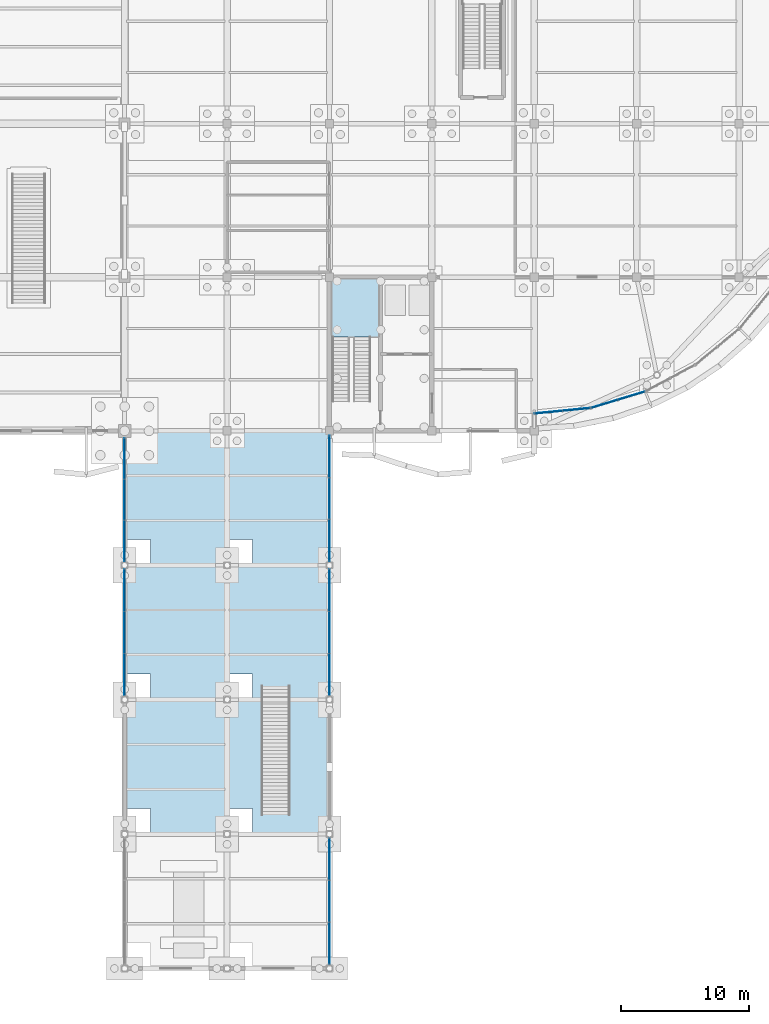
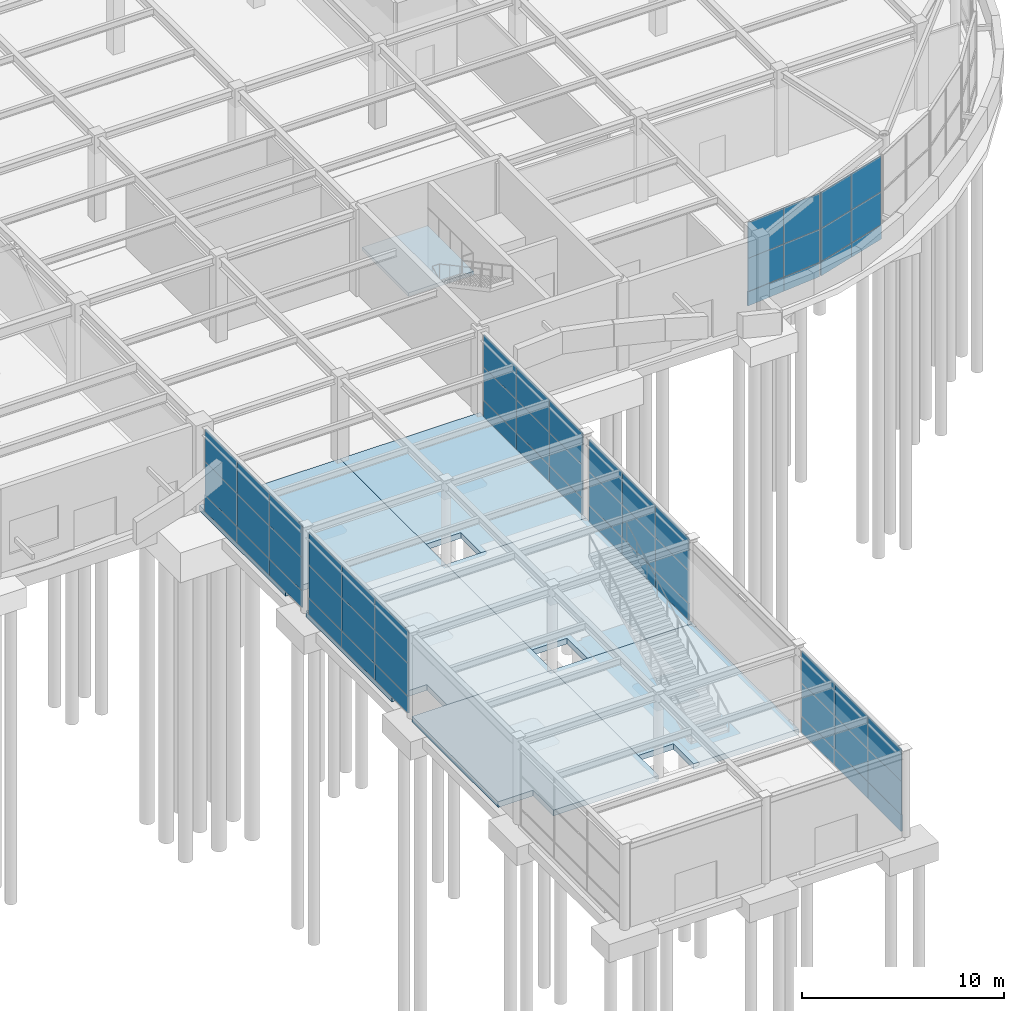
# One storey, part 55 of 85: 57 plates, 7 slabs, 8 elements without a shape of their own.
"""IFC4 building model written with IfcOpenShell, lengths in metres."""

from ifc_helpers import new_model, si_unit, direction, frame, origin, origin_2d, place, context, subcontext, project, spatial, polyline, rectangle, outline, extrude, material, layer, layer_set, type_object, element, aggregate, save


model = new_model("IFC4")

# Units and contexts
model_context = context("Model", 3, precision=1e-05, world=origin(), true_north=direction((0.0, 1.0)))
body_context = subcontext(model_context, "Body", "Model", "MODEL_VIEW")
ifc_project = project(units=[si_unit("LENGTHUNIT", "METRE"), si_unit("AREAUNIT", "SQUARE_METRE"), si_unit("VOLUMEUNIT", "CUBIC_METRE"), si_unit("PLANEANGLEUNIT", "RADIAN"), si_unit("MASSUNIT", "GRAM", prefix="KILO")], contexts=[model_context])

# Site, building, storey
site_placement = place(None, origin())
site = spatial("IfcSite", under=ifc_project, at=site_placement, CompositionType="ELEMENT")
building_placement = place(site_placement, origin())
building = spatial("IfcBuilding", under=site, at=building_placement, Name="Keelwater Ferry Terminal", CompositionType="ELEMENT")
storey_placement = place(building_placement, origin())
storey = spatial("IfcBuildingStorey", under=building, at=storey_placement, Name="L00", CompositionType="ELEMENT", Elevation=0.0)

# Curtain wall, plates
ifc_material_1 = material(Name="Thermally broken unitised aluminium and triple glass", Category="aluminium")
ifc_layer_1 = layer(ifc_material_1, 0.179931640625)
ifc_layer_set_1 = layer_set([ifc_layer_1], Name="Thermally broken unitised aluminium and triple glass")
curtain_wall_type_1 = type_object("IfcCurtainWallType", Name="CW-08 Unitised Curtain Wall 9842x4950", PredefinedType="USERDEFINED", material=ifc_layer_set_1)
curtain_wall_1_placement = place(storey_placement, origin())
curtain_wall_1 = element("IfcCurtainWall", 1, at=curtain_wall_1_placement, inside=storey, type_object=curtain_wall_type_1, Name="Unitised Curtain Wall CW-L00-061", ObjectType="UNITISED CURTAIN WALL", PredefinedType="USERDEFINED")
ifc_material_2 = material(Name="Insulated aluminium spandrel", Category="aluminium")
ifc_layer_2 = layer(ifc_material_2, 0.080078125)
ifc_layer_set_2 = layer_set([ifc_layer_2], Name="Insulated aluminium spandrel")
plate_type_1 = type_object("IfcPlateType", Name="CWP-S1 Insulated Spandrel Panel 80", PredefinedType="CURTAIN_PANEL", material=ifc_layer_set_2)
plate_1_placement = place(storey_placement, frame((132.0, 22.96923828125, 0.0), z_axis=(0.0, 0.0, 1.0), x_axis=(0.0, 1.0, 0.0)))
plate_1 = element("IfcPlate", 2, at=plate_1_placement, type_object=plate_type_1, Name="CW-L00-061 Panel 1.1", PredefinedType="CURTAIN_PANEL", context=body_context, shape_type="SweptSolid", body=[
    extrude(rectangle(XDim=3.28076171875, YDim=0.080078125, at=origin_2d()), origin(), (0.0, 0.0, 1.0), 1.0),
])
plate_2_placement = place(storey_placement, frame((132.0, 26.25, 0.0), z_axis=(0.0, 0.0, 1.0), x_axis=(0.0, 1.0, 0.0)))
plate_2 = element("IfcPlate", 3, at=plate_2_placement, type_object=plate_type_1, Name="CW-L00-061 Panel 2.1", PredefinedType="CURTAIN_PANEL", context=body_context, shape_type="SweptSolid", body=[
    extrude(rectangle(XDim=3.28076171875, YDim=0.080078125, at=origin_2d()), origin(), (0.0, 0.0, 1.0), 1.0),
])
plate_3_placement = place(storey_placement, frame((132.0, 29.53076171875, 0.0), z_axis=(0.0, 0.0, 1.0), x_axis=(0.0, 1.0, 0.0)))
plate_3 = element("IfcPlate", 4, at=plate_3_placement, type_object=plate_type_1, Name="CW-L00-061 Panel 3.1", PredefinedType="CURTAIN_PANEL", context=body_context, shape_type="SweptSolid", body=[
    extrude(rectangle(XDim=3.28076171875, YDim=0.080078125, at=origin_2d()), origin(), (0.0, 0.0, 1.0), 1.0),
])

ifc_material_3 = material(Name="Thermally broken unitised aluminium and triple glass", Category="aluminium")
ifc_layer_3 = layer(ifc_material_3, 0.179931640625)
ifc_layer_set_3 = layer_set([ifc_layer_3], Name="Thermally broken unitised aluminium and triple glass")
curtain_wall_type_2 = type_object("IfcCurtainWallType", Name="CW-12 Unitised Curtain Wall 9596x4950", PredefinedType="USERDEFINED", material=ifc_layer_set_3)
curtain_wall_2_placement = place(storey_placement, origin())
curtain_wall_2 = element("IfcCurtainWall", 5, at=curtain_wall_2_placement, inside=storey, type_object=curtain_wall_type_2, Name="Unitised Curtain Wall CW-L00-063", ObjectType="UNITISED CURTAIN WALL", PredefinedType="USERDEFINED")
plate_4_placement = place(storey_placement, frame((132.0, 33.42822265625, 0.0), z_axis=(0.0, 0.0, 1.0), x_axis=(0.0, 1.0, 0.0)))
plate_4 = element("IfcPlate", 6, at=plate_4_placement, type_object=plate_type_1, Name="CW-L00-063 Panel 1.1", PredefinedType="CURTAIN_PANEL", context=body_context, shape_type="SweptSolid", body=[
    extrude(rectangle(XDim=3.19873046875, YDim=0.080078125, at=origin_2d()), origin(), (0.0, 0.0, 1.0), 1.0),
])
plate_5_placement = place(storey_placement, frame((132.0, 36.626953125, 0.0), z_axis=(0.0, 0.0, 1.0), x_axis=(0.0, 1.0, 0.0)))
plate_5 = element("IfcPlate", 7, at=plate_5_placement, type_object=plate_type_1, Name="CW-L00-063 Panel 2.1", PredefinedType="CURTAIN_PANEL", context=body_context, shape_type="SweptSolid", body=[
    extrude(rectangle(XDim=3.19873046875, YDim=0.080078125, at=origin_2d()), origin(), (0.0, 0.0, 1.0), 1.0),
])
plate_6_placement = place(storey_placement, frame((132.0, 39.82568359375, 0.0), z_axis=(0.0, 0.0, 1.0), x_axis=(0.0, 1.0, 0.0)))
plate_6 = element("IfcPlate", 8, at=plate_6_placement, type_object=plate_type_1, Name="CW-L00-063 Panel 3.1", PredefinedType="CURTAIN_PANEL", context=body_context, shape_type="SweptSolid", body=[
    extrude(rectangle(XDim=3.19873046875, YDim=0.080078125, at=origin_2d()), origin(), (0.0, 0.0, 1.0), 1.0),
])

curtain_wall_3_placement = place(storey_placement, origin())
curtain_wall_3 = element("IfcCurtainWall", 9, at=curtain_wall_3_placement, inside=storey, type_object=curtain_wall_type_1, Name="Unitised Curtain Wall CW-L00-065", ObjectType="UNITISED CURTAIN WALL", PredefinedType="USERDEFINED")
plate_7_placement = place(storey_placement, frame((148.0, 1.96923828125, 0.0), z_axis=(0.0, 0.0, 1.0), x_axis=(0.0, 1.0, 0.0)))
plate_7 = element("IfcPlate", 10, at=plate_7_placement, type_object=plate_type_1, Name="CW-L00-065 Panel 1.1", PredefinedType="CURTAIN_PANEL", context=body_context, shape_type="SweptSolid", body=[
    extrude(rectangle(XDim=3.28076171875, YDim=0.080078125, at=origin_2d()), origin(), (0.0, 0.0, 1.0), 1.0),
])
plate_8_placement = place(storey_placement, frame((148.0, 5.25, 0.0), z_axis=(0.0, 0.0, 1.0), x_axis=(0.0, 1.0, 0.0)))
plate_8 = element("IfcPlate", 11, at=plate_8_placement, type_object=plate_type_1, Name="CW-L00-065 Panel 2.1", PredefinedType="CURTAIN_PANEL", context=body_context, shape_type="SweptSolid", body=[
    extrude(rectangle(XDim=3.28076171875, YDim=0.080078125, at=origin_2d()), origin(), (0.0, 0.0, 1.0), 1.0),
])
plate_9_placement = place(storey_placement, frame((148.0, 8.53076171875, 0.0), z_axis=(0.0, 0.0, 1.0), x_axis=(0.0, 1.0, 0.0)))
plate_9 = element("IfcPlate", 12, at=plate_9_placement, type_object=plate_type_1, Name="CW-L00-065 Panel 3.1", PredefinedType="CURTAIN_PANEL", context=body_context, shape_type="SweptSolid", body=[
    extrude(rectangle(XDim=3.28076171875, YDim=0.080078125, at=origin_2d()), origin(), (0.0, 0.0, 1.0), 1.0),
])

curtain_wall_4_placement = place(storey_placement, origin())
curtain_wall_4 = element("IfcCurtainWall", 13, at=curtain_wall_4_placement, inside=storey, type_object=curtain_wall_type_1, Name="Unitised Curtain Wall CW-L00-067", ObjectType="UNITISED CURTAIN WALL", PredefinedType="USERDEFINED")
plate_10_placement = place(storey_placement, frame((148.0, 22.96923828125, 0.0), z_axis=(0.0, 0.0, 1.0), x_axis=(0.0, 1.0, 0.0)))
plate_10 = element("IfcPlate", 14, at=plate_10_placement, type_object=plate_type_1, Name="CW-L00-067 Panel 1.1", PredefinedType="CURTAIN_PANEL", context=body_context, shape_type="SweptSolid", body=[
    extrude(rectangle(XDim=3.28076171875, YDim=0.080078125, at=origin_2d()), origin(), (0.0, 0.0, 1.0), 1.0),
])
plate_11_placement = place(storey_placement, frame((148.0, 26.25, 0.0), z_axis=(0.0, 0.0, 1.0), x_axis=(0.0, 1.0, 0.0)))
plate_11 = element("IfcPlate", 15, at=plate_11_placement, type_object=plate_type_1, Name="CW-L00-067 Panel 2.1", PredefinedType="CURTAIN_PANEL", context=body_context, shape_type="SweptSolid", body=[
    extrude(rectangle(XDim=3.28076171875, YDim=0.080078125, at=origin_2d()), origin(), (0.0, 0.0, 1.0), 1.0),
])
plate_12_placement = place(storey_placement, frame((148.0, 29.53076171875, 0.0), z_axis=(0.0, 0.0, 1.0), x_axis=(0.0, 1.0, 0.0)))
plate_12 = element("IfcPlate", 16, at=plate_12_placement, type_object=plate_type_1, Name="CW-L00-067 Panel 3.1", PredefinedType="CURTAIN_PANEL", context=body_context, shape_type="SweptSolid", body=[
    extrude(rectangle(XDim=3.28076171875, YDim=0.080078125, at=origin_2d()), origin(), (0.0, 0.0, 1.0), 1.0),
])

ifc_material_4 = material(Name="Thermally broken unitised aluminium and triple glass", Category="aluminium")
ifc_layer_4 = layer(ifc_material_4, 0.179931640625)
ifc_layer_set_4 = layer_set([ifc_layer_4], Name="Thermally broken unitised aluminium and triple glass")
curtain_wall_type_3 = type_object("IfcCurtainWallType", Name="CW-10 Unitised Curtain Wall 9771x4950", PredefinedType="USERDEFINED", material=ifc_layer_set_4)
curtain_wall_5_placement = place(storey_placement, origin())
curtain_wall_5 = element("IfcCurtainWall", 17, at=curtain_wall_5_placement, inside=storey, type_object=curtain_wall_type_3, Name="Unitised Curtain Wall CW-L00-069", ObjectType="UNITISED CURTAIN WALL", PredefinedType="USERDEFINED")
plate_13_placement = place(storey_placement, frame((148.0, 33.45751953125, 0.0), z_axis=(0.0, 0.0, 1.0), x_axis=(0.0, 1.0, 0.0)))
plate_13 = element("IfcPlate", 18, at=plate_13_placement, type_object=plate_type_1, Name="CW-L00-069 Panel 1.1", PredefinedType="CURTAIN_PANEL", context=body_context, shape_type="SweptSolid", body=[
    extrude(rectangle(XDim=3.257080078125, YDim=0.080078125, at=origin_2d()), origin(), (0.0, 0.0, 1.0), 1.0),
])
plate_14_placement = place(storey_placement, frame((148.0, 36.714599609375, 0.0), z_axis=(0.0, 0.0, 1.0), x_axis=(0.0, 1.0, 0.0)))
plate_14 = element("IfcPlate", 19, at=plate_14_placement, type_object=plate_type_1, Name="CW-L00-069 Panel 2.1", PredefinedType="CURTAIN_PANEL", context=body_context, shape_type="SweptSolid", body=[
    extrude(rectangle(XDim=3.257080078125, YDim=0.080078125, at=origin_2d()), origin(), (0.0, 0.0, 1.0), 1.0),
])
plate_15_placement = place(storey_placement, frame((148.0, 39.971435546875, 0.0), z_axis=(0.0, 0.0, 1.0), x_axis=(0.0, 1.0, 0.0)))
plate_15 = element("IfcPlate", 20, at=plate_15_placement, type_object=plate_type_1, Name="CW-L00-069 Panel 3.1", PredefinedType="CURTAIN_PANEL", context=body_context, shape_type="SweptSolid", body=[
    extrude(rectangle(XDim=3.257080078125, YDim=0.080078125, at=origin_2d()), origin(), (0.0, 0.0, 1.0), 1.0),
])

ifc_material_5 = material(Name="Thermally broken unitised aluminium and triple glass", Category="aluminium")
ifc_layer_5 = layer(ifc_material_5, 0.179931640625)
ifc_layer_set_5 = layer_set([ifc_layer_5], Name="Thermally broken unitised aluminium and triple glass")
curtain_wall_type_4 = type_object("IfcCurtainWallType", Name="CW-17 Unitised Curtain Wall 4350x5020", PredefinedType="USERDEFINED", material=ifc_layer_set_5)
curtain_wall_6_placement = place(storey_placement, origin())
curtain_wall_6 = element("IfcCurtainWall", 21, at=curtain_wall_6_placement, inside=storey, type_object=curtain_wall_type_4, Name="Unitised Curtain Wall CW-L00-093", ObjectType="UNITISED CURTAIN WALL", PredefinedType="USERDEFINED")
ifc_material_6 = material(Name="Insulated white cassette spandrel", Category="aluminium")
ifc_layer_6 = layer(ifc_material_6, 0.094970703125)
ifc_layer_set_6 = layer_set([ifc_layer_6], Name="Insulated white cassette spandrel")
plate_type_2 = type_object("IfcPlateType", Name="CWP-S2 Insulated Spandrel Panel 95", PredefinedType="CURTAIN_PANEL", material=ifc_layer_set_6)
plate_16_placement = place(storey_placement, frame((165.127197265625, 43.460693359375, 0.0), z_axis=(0.0, 0.0, 1.0), x_axis=(0.995170573079, 0.098160737969, 0.0)))
plate_16 = element("IfcPlate", 22, at=plate_16_placement, type_object=plate_type_2, Name="CW-L00-093 Panel 1.1", PredefinedType="CURTAIN_PANEL", context=body_context, shape_type="SweptSolid", body=[
    extrude(rectangle(XDim=2.175048828125, YDim=0.094970703125, at=origin_2d()), origin(), (0.0, 0.0, 1.0), 0.85009765625),
])
plate_17_placement = place(storey_placement, frame((167.291748046875, 43.67431640625, 0.0), z_axis=(0.0, 0.0, 1.0), x_axis=(0.995170573079, 0.098160737969, 0.0)))
plate_17 = element("IfcPlate", 23, at=plate_17_placement, type_object=plate_type_2, Name="CW-L00-093 Panel 2.1", PredefinedType="CURTAIN_PANEL", context=body_context, shape_type="SweptSolid", body=[
    extrude(rectangle(XDim=2.175048828125, YDim=0.094970703125, at=origin_2d()), origin(), (0.0, 0.0, 1.0), 0.85009765625),
])

curtain_wall_7_placement = place(storey_placement, origin())
curtain_wall_7 = element("IfcCurtainWall", 24, at=curtain_wall_7_placement, inside=storey, type_object=curtain_wall_type_4, Name="Unitised Curtain Wall CW-L00-094", ObjectType="UNITISED CURTAIN WALL", PredefinedType="USERDEFINED")
plate_18_placement = place(storey_placement, frame((169.502685546875, 44.11376953125, 0.0), z_axis=(0.0, 0.0, 1.0), x_axis=(0.956929623319, 0.290319989003, 0.0)))
plate_18 = element("IfcPlate", 25, at=plate_18_placement, type_object=plate_type_2, Name="CW-L00-094 Panel 1.1", PredefinedType="CURTAIN_PANEL", context=body_context, shape_type="SweptSolid", body=[
    extrude(rectangle(XDim=2.17529296875, YDim=0.094970703125, at=origin_2d()), origin(), (0.0, 0.0, 1.0), 0.85009765625),
])
plate_19_placement = place(storey_placement, frame((171.584228515625, 44.745361328125, 0.0), z_axis=(0.0, 0.0, 1.0), x_axis=(0.956929623319, 0.290319989003, 0.0)))
plate_19 = element("IfcPlate", 26, at=plate_19_placement, type_object=plate_type_2, Name="CW-L00-094 Panel 2.1", PredefinedType="CURTAIN_PANEL", context=body_context, shape_type="SweptSolid", body=[
    extrude(rectangle(XDim=2.17529296875, YDim=0.094970703125, at=origin_2d()), origin(), (0.0, 0.0, 1.0), 0.85009765625),
])

# Plate
ifc_material_7 = material(Name="Triple solar-control glass", Category="glass")
ifc_layer_7 = layer(ifc_material_7, 0.0419921875)
ifc_layer_set_7 = layer_set([ifc_layer_7], Name="Triple solar-control glass")
plate_type_3 = type_object("IfcPlateType", Name="CWP-V2 Glazed Vision Panel 42", PredefinedType="CURTAIN_PANEL", material=ifc_layer_set_7)
plate_20_placement = place(storey_placement, frame((165.127197265625, 43.460693359375, 0.85009765625), z_axis=(0.0, 0.0, 1.0), x_axis=(0.995170573079, 0.098160737969, 0.0)))
plate_20 = element("IfcPlate", 27, at=plate_20_placement, type_object=plate_type_3, Name="CW-L00-093 Panel 1.2", PredefinedType="CURTAIN_PANEL", context=body_context, shape_type="SweptSolid", body=[
    extrude(rectangle(XDim=2.175048828125, YDim=0.0419921875, at=origin_2d()), origin(), (0.0, 0.0, 1.0), 2.0),
])

plate_21_placement = place(storey_placement, frame((165.127197265625, 43.460693359375, 2.85009765625), z_axis=(0.0, 0.0, 1.0), x_axis=(0.995170573079, 0.098160737969, 0.0)))
plate_21 = element("IfcPlate", 28, at=plate_21_placement, type_object=plate_type_3, Name="CW-L00-093 Panel 1.3", PredefinedType="CURTAIN_PANEL", context=body_context, shape_type="SweptSolid", body=[
    extrude(rectangle(XDim=2.175048828125, YDim=0.0419921875, at=origin_2d()), origin(), (0.0, 0.0, 1.0), 2.169921875),
])

plate_22_placement = place(storey_placement, frame((167.291748046875, 43.67431640625, 0.85009765625), z_axis=(0.0, 0.0, 1.0), x_axis=(0.995170573079, 0.098160737969, 0.0)))
plate_22 = element("IfcPlate", 29, at=plate_22_placement, type_object=plate_type_3, Name="CW-L00-093 Panel 2.2", PredefinedType="CURTAIN_PANEL", context=body_context, shape_type="SweptSolid", body=[
    extrude(rectangle(XDim=2.175048828125, YDim=0.0419921875, at=origin_2d()), origin(), (0.0, 0.0, 1.0), 2.0),
])

plate_23_placement = place(storey_placement, frame((167.291748046875, 43.67431640625, 2.85009765625), z_axis=(0.0, 0.0, 1.0), x_axis=(0.995170573079, 0.098160737969, 0.0)))
plate_23 = element("IfcPlate", 30, at=plate_23_placement, type_object=plate_type_3, Name="CW-L00-093 Panel 2.3", PredefinedType="CURTAIN_PANEL", context=body_context, shape_type="SweptSolid", body=[
    extrude(rectangle(XDim=2.175048828125, YDim=0.0419921875, at=origin_2d()), origin(), (0.0, 0.0, 1.0), 2.169921875),
])

aggregate(curtain_wall_6, [plate_16, plate_20, plate_21, plate_17, plate_22, plate_23])

plate_24_placement = place(storey_placement, frame((169.502685546875, 44.11376953125, 0.85009765625), z_axis=(0.0, 0.0, 1.0), x_axis=(0.956929623319, 0.290319989003, 0.0)))
plate_24 = element("IfcPlate", 31, at=plate_24_placement, type_object=plate_type_3, Name="CW-L00-094 Panel 1.2", PredefinedType="CURTAIN_PANEL", context=body_context, shape_type="SweptSolid", body=[
    extrude(rectangle(XDim=2.17529296875, YDim=0.0419921875, at=origin_2d()), origin(), (0.0, 0.0, 1.0), 2.0),
])

plate_25_placement = place(storey_placement, frame((169.502685546875, 44.11376953125, 2.85009765625), z_axis=(0.0, 0.0, 1.0), x_axis=(0.956929623319, 0.290319989003, 0.0)))
plate_25 = element("IfcPlate", 32, at=plate_25_placement, type_object=plate_type_3, Name="CW-L00-094 Panel 1.3", PredefinedType="CURTAIN_PANEL", context=body_context, shape_type="SweptSolid", body=[
    extrude(rectangle(XDim=2.17529296875, YDim=0.0419921875, at=origin_2d()), origin(), (0.0, 0.0, 1.0), 2.169921875),
])

plate_26_placement = place(storey_placement, frame((171.584228515625, 44.745361328125, 0.85009765625), z_axis=(0.0, 0.0, 1.0), x_axis=(0.956929623319, 0.290319989003, 0.0)))
plate_26 = element("IfcPlate", 33, at=plate_26_placement, type_object=plate_type_3, Name="CW-L00-094 Panel 2.2", PredefinedType="CURTAIN_PANEL", context=body_context, shape_type="SweptSolid", body=[
    extrude(rectangle(XDim=2.17529296875, YDim=0.0419921875, at=origin_2d()), origin(), (0.0, 0.0, 1.0), 2.0),
])

plate_27_placement = place(storey_placement, frame((171.584228515625, 44.745361328125, 2.85009765625), z_axis=(0.0, 0.0, 1.0), x_axis=(0.956929623319, 0.290319989003, 0.0)))
plate_27 = element("IfcPlate", 34, at=plate_27_placement, type_object=plate_type_3, Name="CW-L00-094 Panel 2.3", PredefinedType="CURTAIN_PANEL", context=body_context, shape_type="SweptSolid", body=[
    extrude(rectangle(XDim=2.17529296875, YDim=0.0419921875, at=origin_2d()), origin(), (0.0, 0.0, 1.0), 2.169921875),
])

aggregate(curtain_wall_7, [plate_18, plate_24, plate_25, plate_19, plate_26, plate_27])

ifc_material_8 = material(Name="Acoustic marine triple glass", Category="glass")
ifc_layer_8 = layer(ifc_material_8, 0.048095703125)
ifc_layer_set_8 = layer_set([ifc_layer_8], Name="Acoustic marine triple glass")
plate_type_4 = type_object("IfcPlateType", Name="CWP-V3 Glazed Vision Panel 48", PredefinedType="CURTAIN_PANEL", material=ifc_layer_set_8)
plate_28_placement = place(storey_placement, frame((132.0, 22.96923828125, 1.0), z_axis=(0.0, 0.0, 1.0), x_axis=(0.0, 1.0, 0.0)))
plate_28 = element("IfcPlate", 35, at=plate_28_placement, type_object=plate_type_4, Name="CW-L00-061 Panel 1.2", PredefinedType="CURTAIN_PANEL", context=body_context, shape_type="SweptSolid", body=[
    extrude(rectangle(XDim=3.28076171875, YDim=0.048095703125, at=origin_2d()), origin(), (0.0, 0.0, 1.0), 2.0),
])

plate_29_placement = place(storey_placement, frame((132.0, 22.96923828125, 3.0), z_axis=(0.0, 0.0, 1.0), x_axis=(0.0, 1.0, 0.0)))
plate_29 = element("IfcPlate", 36, at=plate_29_placement, type_object=plate_type_4, Name="CW-L00-061 Panel 1.3", PredefinedType="CURTAIN_PANEL", context=body_context, shape_type="SweptSolid", body=[
    extrude(rectangle(XDim=3.28076171875, YDim=0.048095703125, at=origin_2d()), origin(), (0.0, 0.0, 1.0), 1.949951171875),
])

plate_30_placement = place(storey_placement, frame((132.0, 26.25, 1.0), z_axis=(0.0, 0.0, 1.0), x_axis=(0.0, 1.0, 0.0)))
plate_30 = element("IfcPlate", 37, at=plate_30_placement, type_object=plate_type_4, Name="CW-L00-061 Panel 2.2", PredefinedType="CURTAIN_PANEL", context=body_context, shape_type="SweptSolid", body=[
    extrude(rectangle(XDim=3.28076171875, YDim=0.048095703125, at=origin_2d()), origin(), (0.0, 0.0, 1.0), 2.0),
])

plate_31_placement = place(storey_placement, frame((132.0, 26.25, 3.0), z_axis=(0.0, 0.0, 1.0), x_axis=(0.0, 1.0, 0.0)))
plate_31 = element("IfcPlate", 38, at=plate_31_placement, type_object=plate_type_4, Name="CW-L00-061 Panel 2.3", PredefinedType="CURTAIN_PANEL", context=body_context, shape_type="SweptSolid", body=[
    extrude(rectangle(XDim=3.28076171875, YDim=0.048095703125, at=origin_2d()), origin(), (0.0, 0.0, 1.0), 1.949951171875),
])

plate_32_placement = place(storey_placement, frame((132.0, 29.53076171875, 1.0), z_axis=(0.0, 0.0, 1.0), x_axis=(0.0, 1.0, 0.0)))
plate_32 = element("IfcPlate", 39, at=plate_32_placement, type_object=plate_type_4, Name="CW-L00-061 Panel 3.2", PredefinedType="CURTAIN_PANEL", context=body_context, shape_type="SweptSolid", body=[
    extrude(rectangle(XDim=3.28076171875, YDim=0.048095703125, at=origin_2d()), origin(), (0.0, 0.0, 1.0), 2.0),
])

plate_33_placement = place(storey_placement, frame((132.0, 29.53076171875, 3.0), z_axis=(0.0, 0.0, 1.0), x_axis=(0.0, 1.0, 0.0)))
plate_33 = element("IfcPlate", 40, at=plate_33_placement, type_object=plate_type_4, Name="CW-L00-061 Panel 3.3", PredefinedType="CURTAIN_PANEL", context=body_context, shape_type="SweptSolid", body=[
    extrude(rectangle(XDim=3.28076171875, YDim=0.048095703125, at=origin_2d()), origin(), (0.0, 0.0, 1.0), 1.949951171875),
])

aggregate(curtain_wall_1, [plate_1, plate_28, plate_29, plate_2, plate_30, plate_31, plate_3, plate_32, plate_33])

plate_34_placement = place(storey_placement, frame((132.0, 33.42822265625, 1.0), z_axis=(0.0, 0.0, 1.0), x_axis=(0.0, 1.0, 0.0)))
plate_34 = element("IfcPlate", 41, at=plate_34_placement, type_object=plate_type_4, Name="CW-L00-063 Panel 1.2", PredefinedType="CURTAIN_PANEL", context=body_context, shape_type="SweptSolid", body=[
    extrude(rectangle(XDim=3.19873046875, YDim=0.048095703125, at=origin_2d()), origin(), (0.0, 0.0, 1.0), 2.0),
])

plate_35_placement = place(storey_placement, frame((132.0, 33.42822265625, 3.0), z_axis=(0.0, 0.0, 1.0), x_axis=(0.0, 1.0, 0.0)))
plate_35 = element("IfcPlate", 42, at=plate_35_placement, type_object=plate_type_4, Name="CW-L00-063 Panel 1.3", PredefinedType="CURTAIN_PANEL", context=body_context, shape_type="SweptSolid", body=[
    extrude(rectangle(XDim=3.19873046875, YDim=0.048095703125, at=origin_2d()), origin(), (0.0, 0.0, 1.0), 1.949951171875),
])

plate_36_placement = place(storey_placement, frame((132.0, 36.626953125, 1.0), z_axis=(0.0, 0.0, 1.0), x_axis=(0.0, 1.0, 0.0)))
plate_36 = element("IfcPlate", 43, at=plate_36_placement, type_object=plate_type_4, Name="CW-L00-063 Panel 2.2", PredefinedType="CURTAIN_PANEL", context=body_context, shape_type="SweptSolid", body=[
    extrude(rectangle(XDim=3.19873046875, YDim=0.048095703125, at=origin_2d()), origin(), (0.0, 0.0, 1.0), 2.0),
])

plate_37_placement = place(storey_placement, frame((132.0, 36.626953125, 3.0), z_axis=(0.0, 0.0, 1.0), x_axis=(0.0, 1.0, 0.0)))
plate_37 = element("IfcPlate", 44, at=plate_37_placement, type_object=plate_type_4, Name="CW-L00-063 Panel 2.3", PredefinedType="CURTAIN_PANEL", context=body_context, shape_type="SweptSolid", body=[
    extrude(rectangle(XDim=3.19873046875, YDim=0.048095703125, at=origin_2d()), origin(), (0.0, 0.0, 1.0), 1.949951171875),
])

plate_38_placement = place(storey_placement, frame((132.0, 39.82568359375, 1.0), z_axis=(0.0, 0.0, 1.0), x_axis=(0.0, 1.0, 0.0)))
plate_38 = element("IfcPlate", 45, at=plate_38_placement, type_object=plate_type_4, Name="CW-L00-063 Panel 3.2", PredefinedType="CURTAIN_PANEL", context=body_context, shape_type="SweptSolid", body=[
    extrude(rectangle(XDim=3.19873046875, YDim=0.048095703125, at=origin_2d()), origin(), (0.0, 0.0, 1.0), 2.0),
])

plate_39_placement = place(storey_placement, frame((132.0, 39.82568359375, 3.0), z_axis=(0.0, 0.0, 1.0), x_axis=(0.0, 1.0, 0.0)))
plate_39 = element("IfcPlate", 46, at=plate_39_placement, type_object=plate_type_4, Name="CW-L00-063 Panel 3.3", PredefinedType="CURTAIN_PANEL", context=body_context, shape_type="SweptSolid", body=[
    extrude(rectangle(XDim=3.19873046875, YDim=0.048095703125, at=origin_2d()), origin(), (0.0, 0.0, 1.0), 1.949951171875),
])

aggregate(curtain_wall_2, [plate_4, plate_34, plate_35, plate_5, plate_36, plate_37, plate_6, plate_38, plate_39])

plate_40_placement = place(storey_placement, frame((148.0, 1.96923828125, 1.0), z_axis=(0.0, 0.0, 1.0), x_axis=(0.0, 1.0, 0.0)))
plate_40 = element("IfcPlate", 47, at=plate_40_placement, type_object=plate_type_4, Name="CW-L00-065 Panel 1.2", PredefinedType="CURTAIN_PANEL", context=body_context, shape_type="SweptSolid", body=[
    extrude(rectangle(XDim=3.28076171875, YDim=0.048095703125, at=origin_2d()), origin(), (0.0, 0.0, 1.0), 2.0),
])

plate_41_placement = place(storey_placement, frame((148.0, 1.96923828125, 3.0), z_axis=(0.0, 0.0, 1.0), x_axis=(0.0, 1.0, 0.0)))
plate_41 = element("IfcPlate", 48, at=plate_41_placement, type_object=plate_type_4, Name="CW-L00-065 Panel 1.3", PredefinedType="CURTAIN_PANEL", context=body_context, shape_type="SweptSolid", body=[
    extrude(rectangle(XDim=3.28076171875, YDim=0.048095703125, at=origin_2d()), origin(), (0.0, 0.0, 1.0), 1.949951171875),
])

plate_42_placement = place(storey_placement, frame((148.0, 5.25, 1.0), z_axis=(0.0, 0.0, 1.0), x_axis=(0.0, 1.0, 0.0)))
plate_42 = element("IfcPlate", 49, at=plate_42_placement, type_object=plate_type_4, Name="CW-L00-065 Panel 2.2", PredefinedType="CURTAIN_PANEL", context=body_context, shape_type="SweptSolid", body=[
    extrude(rectangle(XDim=3.28076171875, YDim=0.048095703125, at=origin_2d()), origin(), (0.0, 0.0, 1.0), 2.0),
])

plate_43_placement = place(storey_placement, frame((148.0, 5.25, 3.0), z_axis=(0.0, 0.0, 1.0), x_axis=(0.0, 1.0, 0.0)))
plate_43 = element("IfcPlate", 50, at=plate_43_placement, type_object=plate_type_4, Name="CW-L00-065 Panel 2.3", PredefinedType="CURTAIN_PANEL", context=body_context, shape_type="SweptSolid", body=[
    extrude(rectangle(XDim=3.28076171875, YDim=0.048095703125, at=origin_2d()), origin(), (0.0, 0.0, 1.0), 1.949951171875),
])

plate_44_placement = place(storey_placement, frame((148.0, 8.53076171875, 1.0), z_axis=(0.0, 0.0, 1.0), x_axis=(0.0, 1.0, 0.0)))
plate_44 = element("IfcPlate", 51, at=plate_44_placement, type_object=plate_type_4, Name="CW-L00-065 Panel 3.2", PredefinedType="CURTAIN_PANEL", context=body_context, shape_type="SweptSolid", body=[
    extrude(rectangle(XDim=3.28076171875, YDim=0.048095703125, at=origin_2d()), origin(), (0.0, 0.0, 1.0), 2.0),
])

plate_45_placement = place(storey_placement, frame((148.0, 8.53076171875, 3.0), z_axis=(0.0, 0.0, 1.0), x_axis=(0.0, 1.0, 0.0)))
plate_45 = element("IfcPlate", 52, at=plate_45_placement, type_object=plate_type_4, Name="CW-L00-065 Panel 3.3", PredefinedType="CURTAIN_PANEL", context=body_context, shape_type="SweptSolid", body=[
    extrude(rectangle(XDim=3.28076171875, YDim=0.048095703125, at=origin_2d()), origin(), (0.0, 0.0, 1.0), 1.949951171875),
])

aggregate(curtain_wall_3, [plate_7, plate_40, plate_41, plate_8, plate_42, plate_43, plate_9, plate_44, plate_45])

plate_46_placement = place(storey_placement, frame((148.0, 22.96923828125, 1.0), z_axis=(0.0, 0.0, 1.0), x_axis=(0.0, 1.0, 0.0)))
plate_46 = element("IfcPlate", 53, at=plate_46_placement, type_object=plate_type_4, Name="CW-L00-067 Panel 1.2", PredefinedType="CURTAIN_PANEL", context=body_context, shape_type="SweptSolid", body=[
    extrude(rectangle(XDim=3.28076171875, YDim=0.048095703125, at=origin_2d()), origin(), (0.0, 0.0, 1.0), 2.0),
])

plate_47_placement = place(storey_placement, frame((148.0, 22.96923828125, 3.0), z_axis=(0.0, 0.0, 1.0), x_axis=(0.0, 1.0, 0.0)))
plate_47 = element("IfcPlate", 54, at=plate_47_placement, type_object=plate_type_4, Name="CW-L00-067 Panel 1.3", PredefinedType="CURTAIN_PANEL", context=body_context, shape_type="SweptSolid", body=[
    extrude(rectangle(XDim=3.28076171875, YDim=0.048095703125, at=origin_2d()), origin(), (0.0, 0.0, 1.0), 1.949951171875),
])

plate_48_placement = place(storey_placement, frame((148.0, 26.25, 1.0), z_axis=(0.0, 0.0, 1.0), x_axis=(0.0, 1.0, 0.0)))
plate_48 = element("IfcPlate", 55, at=plate_48_placement, type_object=plate_type_4, Name="CW-L00-067 Panel 2.2", PredefinedType="CURTAIN_PANEL", context=body_context, shape_type="SweptSolid", body=[
    extrude(rectangle(XDim=3.28076171875, YDim=0.048095703125, at=origin_2d()), origin(), (0.0, 0.0, 1.0), 2.0),
])

plate_49_placement = place(storey_placement, frame((148.0, 26.25, 3.0), z_axis=(0.0, 0.0, 1.0), x_axis=(0.0, 1.0, 0.0)))
plate_49 = element("IfcPlate", 56, at=plate_49_placement, type_object=plate_type_4, Name="CW-L00-067 Panel 2.3", PredefinedType="CURTAIN_PANEL", context=body_context, shape_type="SweptSolid", body=[
    extrude(rectangle(XDim=3.28076171875, YDim=0.048095703125, at=origin_2d()), origin(), (0.0, 0.0, 1.0), 1.949951171875),
])

plate_50_placement = place(storey_placement, frame((148.0, 29.53076171875, 1.0), z_axis=(0.0, 0.0, 1.0), x_axis=(0.0, 1.0, 0.0)))
plate_50 = element("IfcPlate", 57, at=plate_50_placement, type_object=plate_type_4, Name="CW-L00-067 Panel 3.2", PredefinedType="CURTAIN_PANEL", context=body_context, shape_type="SweptSolid", body=[
    extrude(rectangle(XDim=3.28076171875, YDim=0.048095703125, at=origin_2d()), origin(), (0.0, 0.0, 1.0), 2.0),
])

plate_51_placement = place(storey_placement, frame((148.0, 29.53076171875, 3.0), z_axis=(0.0, 0.0, 1.0), x_axis=(0.0, 1.0, 0.0)))
plate_51 = element("IfcPlate", 58, at=plate_51_placement, type_object=plate_type_4, Name="CW-L00-067 Panel 3.3", PredefinedType="CURTAIN_PANEL", context=body_context, shape_type="SweptSolid", body=[
    extrude(rectangle(XDim=3.28076171875, YDim=0.048095703125, at=origin_2d()), origin(), (0.0, 0.0, 1.0), 1.949951171875),
])

aggregate(curtain_wall_4, [plate_10, plate_46, plate_47, plate_11, plate_48, plate_49, plate_12, plate_50, plate_51])

plate_52_placement = place(storey_placement, frame((148.0, 33.45751953125, 1.0), z_axis=(0.0, 0.0, 1.0), x_axis=(0.0, 1.0, 0.0)))
plate_52 = element("IfcPlate", 59, at=plate_52_placement, type_object=plate_type_4, Name="CW-L00-069 Panel 1.2", PredefinedType="CURTAIN_PANEL", context=body_context, shape_type="SweptSolid", body=[
    extrude(rectangle(XDim=3.257080078125, YDim=0.048095703125, at=origin_2d()), origin(), (0.0, 0.0, 1.0), 2.0),
])

plate_53_placement = place(storey_placement, frame((148.0, 33.45751953125, 3.0), z_axis=(0.0, 0.0, 1.0), x_axis=(0.0, 1.0, 0.0)))
plate_53 = element("IfcPlate", 60, at=plate_53_placement, type_object=plate_type_4, Name="CW-L00-069 Panel 1.3", PredefinedType="CURTAIN_PANEL", context=body_context, shape_type="SweptSolid", body=[
    extrude(rectangle(XDim=3.257080078125, YDim=0.048095703125, at=origin_2d()), origin(), (0.0, 0.0, 1.0), 1.949951171875),
])

plate_54_placement = place(storey_placement, frame((148.0, 36.714599609375, 1.0), z_axis=(0.0, 0.0, 1.0), x_axis=(0.0, 1.0, 0.0)))
plate_54 = element("IfcPlate", 61, at=plate_54_placement, type_object=plate_type_4, Name="CW-L00-069 Panel 2.2", PredefinedType="CURTAIN_PANEL", context=body_context, shape_type="SweptSolid", body=[
    extrude(rectangle(XDim=3.257080078125, YDim=0.048095703125, at=origin_2d()), origin(), (0.0, 0.0, 1.0), 2.0),
])

plate_55_placement = place(storey_placement, frame((148.0, 36.714599609375, 3.0), z_axis=(0.0, 0.0, 1.0), x_axis=(0.0, 1.0, 0.0)))
plate_55 = element("IfcPlate", 62, at=plate_55_placement, type_object=plate_type_4, Name="CW-L00-069 Panel 2.3", PredefinedType="CURTAIN_PANEL", context=body_context, shape_type="SweptSolid", body=[
    extrude(rectangle(XDim=3.257080078125, YDim=0.048095703125, at=origin_2d()), origin(), (0.0, 0.0, 1.0), 1.949951171875),
])

plate_56_placement = place(storey_placement, frame((148.0, 39.971435546875, 1.0), z_axis=(0.0, 0.0, 1.0), x_axis=(0.0, 1.0, 0.0)))
plate_56 = element("IfcPlate", 63, at=plate_56_placement, type_object=plate_type_4, Name="CW-L00-069 Panel 3.2", PredefinedType="CURTAIN_PANEL", context=body_context, shape_type="SweptSolid", body=[
    extrude(rectangle(XDim=3.257080078125, YDim=0.048095703125, at=origin_2d()), origin(), (0.0, 0.0, 1.0), 2.0),
])

plate_57_placement = place(storey_placement, frame((148.0, 39.971435546875, 3.0), z_axis=(0.0, 0.0, 1.0), x_axis=(0.0, 1.0, 0.0)))
plate_57 = element("IfcPlate", 64, at=plate_57_placement, type_object=plate_type_4, Name="CW-L00-069 Panel 3.3", PredefinedType="CURTAIN_PANEL", context=body_context, shape_type="SweptSolid", body=[
    extrude(rectangle(XDim=3.257080078125, YDim=0.048095703125, at=origin_2d()), origin(), (0.0, 0.0, 1.0), 1.949951171875),
])

aggregate(curtain_wall_5, [plate_13, plate_52, plate_53, plate_14, plate_54, plate_55, plate_15, plate_56, plate_57])

# Slabs
ifc_material_9 = material(Name="Concrete C35/45", Category="concrete")
ifc_layer_9 = layer(ifc_material_9, 0.340087890625)
ifc_layer_set_9 = layer_set([ifc_layer_9], Name="Concrete C35/45")
slab_type_1 = type_object("IfcSlabType", Name="SL-B340 Ground Base Slab 340", PredefinedType="BASESLAB", material=ifc_layer_set_9)
slab_1_placement = place(storey_placement, frame((0.0, 0.0, -0.340087890625)))
element("IfcSlab", 65, at=slab_1_placement, inside=storey, type_object=slab_type_1, Name="V3 East Berth Quay Bay Slab SL-L00-019", PredefinedType="BASESLAB", context=body_context, shape_type="SweptSolid", body=[
    extrude(outline(polyline([(134.0, 10.5), (140.0, 10.5), (140.0, 21.0), (132.0, 21.0), (132.0, 12.5), (134.0, 12.5), (134.0, 10.5)])), origin(), (0.0, 0.0, 1.0), 0.340087890625),
])
slab_2_placement = place(storey_placement, frame((0.0, 0.0, -0.340087890625)))
element("IfcSlab", 66, at=slab_2_placement, inside=storey, type_object=slab_type_1, Name="V3 East Berth Quay Bay Slab SL-L00-020", PredefinedType="BASESLAB", context=body_context, shape_type="SweptSolid", body=[
    extrude(outline(polyline([(134.0, 21.0), (140.0, 21.0), (140.0, 31.5), (132.0, 31.5), (132.0, 23.0), (134.0, 23.0), (134.0, 21.0)])), origin(), (0.0, 0.0, 1.0), 0.340087890625),
])
slab_3_placement = place(storey_placement, frame((0.0, 0.0, -0.340087890625)))
element("IfcSlab", 67, at=slab_3_placement, inside=storey, type_object=slab_type_1, Name="V3 East Berth Quay Bay Slab SL-L00-021", PredefinedType="BASESLAB", context=body_context, shape_type="SweptSolid", body=[
    extrude(outline(polyline([(134.0, 31.5), (140.0, 31.5), (140.0, 42.0), (132.0, 42.0), (132.0, 33.5), (134.0, 33.5), (134.0, 31.5)])), origin(), (0.0, 0.0, 1.0), 0.340087890625),
])
slab_4_placement = place(storey_placement, frame((0.0, 0.0, -0.340087890625)))
element("IfcSlab", 68, at=slab_4_placement, inside=storey, type_object=slab_type_1, Name="V3 East Berth Quay Bay Slab SL-L00-023", PredefinedType="BASESLAB", context=body_context, shape_type="SweptSolid", body=[
    extrude(outline(polyline([(142.0, 10.5), (148.0, 10.5), (148.0, 21.0), (140.0, 21.0), (140.0, 12.5), (142.0, 12.5), (142.0, 10.5)])), origin(), (0.0, 0.0, 1.0), 0.340087890625),
])
slab_5_placement = place(storey_placement, frame((0.0, 0.0, -0.340087890625)))
element("IfcSlab", 69, at=slab_5_placement, inside=storey, type_object=slab_type_1, Name="V3 East Berth Quay Bay Slab SL-L00-024", PredefinedType="BASESLAB", context=body_context, shape_type="SweptSolid", body=[
    extrude(outline(polyline([(142.0, 21.0), (148.0, 21.0), (148.0, 31.5), (140.0, 31.5), (140.0, 23.0), (142.0, 23.0), (142.0, 21.0)])), origin(), (0.0, 0.0, 1.0), 0.340087890625),
])
slab_6_placement = place(storey_placement, frame((0.0, 0.0, -0.340087890625)))
element("IfcSlab", 70, at=slab_6_placement, inside=storey, type_object=slab_type_1, Name="V3 East Berth Quay Bay Slab SL-L00-025", PredefinedType="BASESLAB", context=body_context, shape_type="SweptSolid", body=[
    extrude(outline(polyline([(142.0, 31.5), (148.0, 31.5), (148.0, 42.0), (140.0, 42.0), (140.0, 33.5), (142.0, 33.5), (142.0, 31.5)])), origin(), (0.0, 0.0, 1.0), 0.340087890625),
])

# Stair, slab
ifc_material_10 = material(Name="Concrete C40/50", Category="concrete")
stair_type = type_object("IfcStairType", Name="ST-T01 Half-Turn Stair 1350W 36R", PredefinedType="HALF_TURN_STAIR", material=ifc_material_10)
stair_placement = place(storey_placement, origin())
stair = element("IfcStair", 71, at=stair_placement, inside=storey, type_object=stair_type, Name="Half-Turn Stair ST-C4-L00", PredefinedType="HALF_TURN_STAIR")
ifc_material_11 = material(Name="Concrete C40/50", Category="concrete")
ifc_layer_10 = layer(ifc_material_11, 0.219970703125)
ifc_layer_set_10 = layer_set([ifc_layer_10], Name="Concrete C40/50")
slab_type_2 = type_object("IfcSlabType", Name="SL-LD220 Stair Landing Slab 220", PredefinedType="LANDING", material=ifc_layer_set_10)
slab_7_placement = place(storey_placement, frame((0.0, 0.0, 2.47998046875)))
slab_7 = element("IfcSlab", 72, at=slab_7_placement, type_object=slab_type_2, Name="ST-C4-L00 landing 1", PredefinedType="LANDING", context=body_context, shape_type="SweptSolid", body=[
    extrude(outline(polyline([(148.14990234375, 49.340087890625), (151.8798828125, 49.340087890625), (151.8798828125, 53.89990234375), (148.14990234375, 53.89990234375), (148.14990234375, 49.340087890625)])), origin(), (0.0, 0.0, 1.0), 0.219970703125),
])
aggregate(stair, [slab_7])

save(model, "model.ifc")
